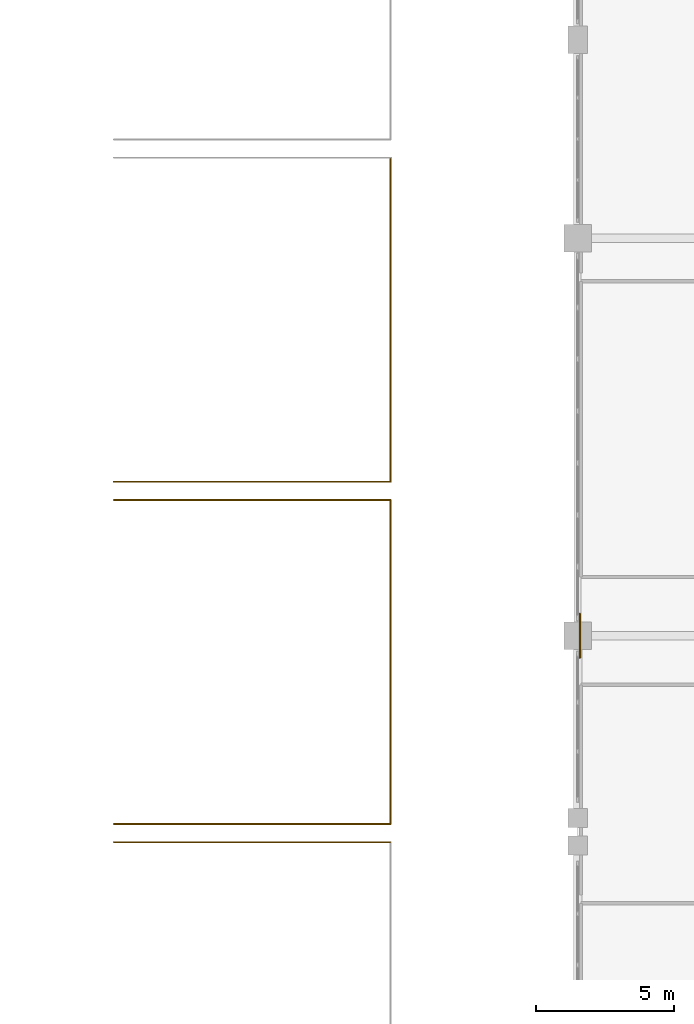
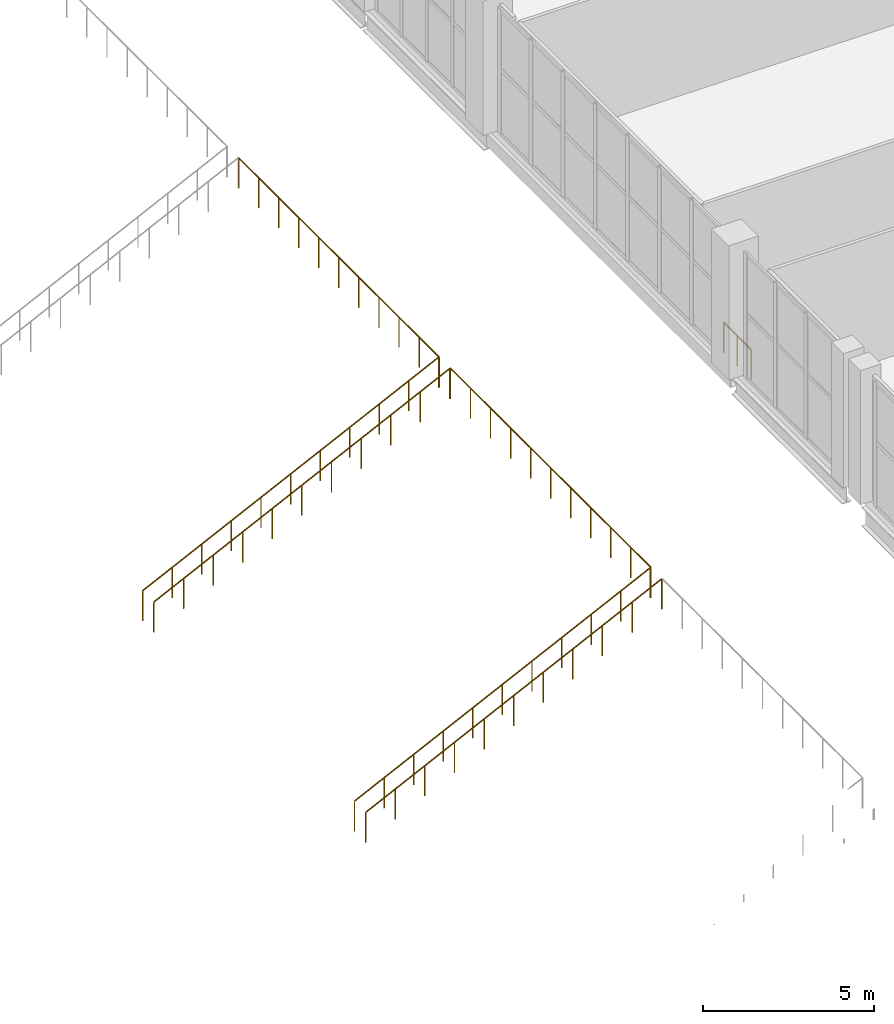
# One storey, part 98 of 104: 8 railings.
"""IFC4 building model written with IfcOpenShell, lengths in metres."""

from ifc_helpers import new_model, si_unit, direction, frame, origin, origin_2d, place, context, subcontext, project, spatial, circle, extrude, material, type_object, element, save


model = new_model("IFC4")

# Units and contexts
model_context = context("Model", 3, precision=1e-05, world=origin(), true_north=direction((0.0, 1.0)))
body_context = subcontext(model_context, "Body", "Model", "MODEL_VIEW")
ifc_project = project(units=[si_unit("LENGTHUNIT", "METRE"), si_unit("AREAUNIT", "SQUARE_METRE"), si_unit("VOLUMEUNIT", "CUBIC_METRE"), si_unit("PLANEANGLEUNIT", "RADIAN"), si_unit("MASSUNIT", "GRAM", prefix="KILO")], contexts=[model_context])

# Site, building, storey
site_placement = place(None, origin())
site = spatial("IfcSite", under=ifc_project, at=site_placement, CompositionType="ELEMENT")
building_placement = place(site_placement, origin())
building = spatial("IfcBuilding", under=site, at=building_placement, Name="Koshinbarg Plaza Stadium", CompositionType="ELEMENT")
storey_placement = place(building_placement, frame((0.0, 0.0, 19.800048828125)))
storey = spatial("IfcBuildingStorey", under=building, at=storey_placement, Name="L04", CompositionType="ELEMENT", Elevation=19.800048828125)

# Railings
ifc_material_1 = material(Name="Toughened laminated glass and stainless steel sightline balustrade", Category="steel")
railing_type_1 = type_object("IfcRailingType", Name="RL-BOWL-1100", PredefinedType="BALUSTRADE", material=ifc_material_1)
railing_1_placement = place(storey_placement, frame((189.47998046875, 82.300048828125, 0.0)))
element("IfcRailing", 1, at=railing_1_placement, inside=storey, type_object=railing_type_1, Name="L04 deck edge safety balustrade 0312", PredefinedType="BALUSTRADE", context=body_context, shape_type="SweptSolid", body=[
    extrude(circle(Radius=0.02392578125, at=origin_2d()), frame((0.0, 0.0, 1.076171875), z_axis=(0.0, 1.0, 0.0), x_axis=(-1.0, 0.0, 0.0)), (0.0, 0.0, 1.0), 0.800048828125),
    extrude(circle(Radius=0.02099609375, at=origin_2d()), origin(), (0.0, 0.0, 1.0), 1.052001953125),
    extrude(circle(Radius=0.02099609375, at=origin_2d()), frame((0.0, 0.800048828125, 0.0)), (0.0, 0.0, 1.0), 1.052001953125),
])
railing_2_placement = place(storey_placement, frame((189.47998046875, 83.10009765625, 0.0)))
element("IfcRailing", 2, at=railing_2_placement, inside=storey, type_object=railing_type_1, Name="L04 deck edge safety balustrade 0317", PredefinedType="BALUSTRADE", context=body_context, shape_type="SweptSolid", body=[
    extrude(circle(Radius=0.02392578125, at=origin_2d()), frame((0.0, 0.0, 1.076171875), z_axis=(0.0, 1.0, 0.0), x_axis=(-1.0, 0.0, 0.0)), (0.0, 0.0, 1.0), 0.796875),
    extrude(circle(Radius=0.02099609375, at=origin_2d()), origin(), (0.0, 0.0, 1.0), 1.052001953125),
    extrude(circle(Radius=0.02099609375, at=origin_2d()), frame((0.0, 0.796875, 0.0)), (0.0, 0.0, 1.0), 1.052001953125),
])
ifc_material_2 = material(Name="Galvanized painted steel guardrail", Category="steel")
railing_type_2 = type_object("IfcRailingType", Name="RL-GUARD-1100", PredefinedType="GUARDRAIL", material=ifc_material_2)
railing_3_placement = place(storey_placement, frame((172.60009765625, 75.6201171875, -6.580078125)))
element("IfcRailing", 3, at=railing_3_placement, inside=storey, type_object=railing_type_2, Name="UT-E04 stepped aisle guard R", PredefinedType="GUARDRAIL", context=body_context, shape_type="SweptSolid", body=[
    extrude(circle(Radius=0.02392578125, at=origin_2d()), frame((0.0, 0.0, 1.076171875), z_axis=(0.900110607261, 0.0, 0.435661445043), x_axis=(0.0, 1.0, 0.0)), (0.0, 0.0, 1.0), 11.10986328125),
    extrude(circle(Radius=0.02099609375, at=origin_2d()), origin(), (0.0, 0.0, 1.0), 1.052001953125),
    extrude(circle(Radius=0.02099609375, at=origin_2d()), frame((1.0, 0.0, 0.48388671875)), (0.0, 0.0, 1.0), 1.052001953125),
    extrude(circle(Radius=0.02099609375, at=origin_2d()), frame((2.0, 0.0, 0.968017578125)), (0.0, 0.0, 1.0), 1.052001953125),
    extrude(circle(Radius=0.02099609375, at=origin_2d()), frame((3.0, 0.0, 1.4521484375)), (0.0, 0.0, 1.0), 1.052001953125),
    extrude(circle(Radius=0.02099609375, at=origin_2d()), frame((4.0, 0.0, 1.93603515625)), (0.0, 0.0, 1.0), 1.052001953125),
    extrude(circle(Radius=0.02099609375, at=origin_2d()), frame((5.0, 0.0, 2.419921875)), (0.0, 0.0, 1.0), 1.052001953125),
    extrude(circle(Radius=0.02099609375, at=origin_2d()), frame((6.0, 0.0, 2.904052734375)), (0.0, 0.0, 1.0), 1.052001953125),
    extrude(circle(Radius=0.02099609375, at=origin_2d()), frame((7.0, 0.0, 3.38818359375)), (0.0, 0.0, 1.0), 1.052001953125),
    extrude(circle(Radius=0.02099609375, at=origin_2d()), frame((8.0, 0.0, 3.8720703125)), (0.0, 0.0, 1.0), 1.052001953125),
    extrude(circle(Radius=0.02099609375, at=origin_2d()), frame((9.0, 0.0, 4.35595703125)), (0.0, 0.0, 1.0), 1.052001953125),
    extrude(circle(Radius=0.02099609375, at=origin_2d()), frame((10.0, 0.0, 4.840087890625)), (0.0, 0.0, 1.0), 1.052001953125),
])
railing_4_placement = place(storey_placement, frame((182.6201171875, 76.280029296875, -1.739990234375)))
element("IfcRailing", 4, at=railing_4_placement, inside=storey, type_object=railing_type_2, Name="UT-E05 rear stand guard", PredefinedType="GUARDRAIL", context=body_context, shape_type="SweptSolid", body=[
    extrude(circle(Radius=0.02392578125, at=origin_2d()), frame((0.0, 0.0, 1.076171875), z_axis=(0.0, 1.0, 0.0), x_axis=(-1.0, 0.0, 0.0)), (0.0, 0.0, 1.0), 11.739990234375),
    extrude(circle(Radius=0.02099609375, at=origin_2d()), origin(), (0.0, 0.0, 1.0), 1.052001953125),
    extrude(circle(Radius=0.02099609375, at=origin_2d()), frame((0.0, 1.174072265625, 0.0)), (0.0, 0.0, 1.0), 1.052001953125),
    extrude(circle(Radius=0.02099609375, at=origin_2d()), frame((0.0, 2.347900390625, 0.0)), (0.0, 0.0, 1.0), 1.052001953125),
    extrude(circle(Radius=0.02099609375, at=origin_2d()), frame((0.0, 3.52197265625, 0.0)), (0.0, 0.0, 1.0), 1.052001953125),
    extrude(circle(Radius=0.02099609375, at=origin_2d()), frame((0.0, 4.696044921875, 0.0)), (0.0, 0.0, 1.0), 1.052001953125),
    extrude(circle(Radius=0.02099609375, at=origin_2d()), frame((0.0, 5.8701171875, 0.0)), (0.0, 0.0, 1.0), 1.052001953125),
    extrude(circle(Radius=0.02099609375, at=origin_2d()), frame((0.0, 7.0439453125, 0.0)), (0.0, 0.0, 1.0), 1.052001953125),
    extrude(circle(Radius=0.02099609375, at=origin_2d()), frame((0.0, 8.218017578125, 0.0)), (0.0, 0.0, 1.0), 1.052001953125),
    extrude(circle(Radius=0.02099609375, at=origin_2d()), frame((0.0, 9.39208984375, 0.0)), (0.0, 0.0, 1.0), 1.052001953125),
    extrude(circle(Radius=0.02099609375, at=origin_2d()), frame((0.0, 10.56591796875, 0.0)), (0.0, 0.0, 1.0), 1.052001953125),
    extrude(circle(Radius=0.02099609375, at=origin_2d()), frame((0.0, 11.739990234375, 0.0)), (0.0, 0.0, 1.0), 1.052001953125),
])
for number, where, name in (
    (5, (172.60009765625, 76.280029296875, -6.580078125), "UT-E05 stepped aisle guard L"),
    (6, (172.60009765625, 88.02001953125, -6.580078125), "UT-E05 stepped aisle guard R"),
):
    element("IfcRailing", number, at=place(storey_placement, frame(where)), inside=storey, type_object=railing_type_2, Name=name, PredefinedType="GUARDRAIL", context=body_context, shape_type="SweptSolid", body=[
        extrude(circle(Radius=0.02392578125, at=origin_2d()), frame((0.0, 0.0, 1.076171875), z_axis=(0.900110607261, 0.0, 0.435661445043), x_axis=(0.0, 1.0, 0.0)), (0.0, 0.0, 1.0), 11.10986328125),
        extrude(circle(Radius=0.02099609375, at=origin_2d()), origin(), (0.0, 0.0, 1.0), 1.052001953125),
        extrude(circle(Radius=0.02099609375, at=origin_2d()), frame((1.0, 0.0, 0.48388671875)), (0.0, 0.0, 1.0), 1.052001953125),
        extrude(circle(Radius=0.02099609375, at=origin_2d()), frame((2.0, 0.0, 0.968017578125)), (0.0, 0.0, 1.0), 1.052001953125),
        extrude(circle(Radius=0.02099609375, at=origin_2d()), frame((3.0, 0.0, 1.4521484375)), (0.0, 0.0, 1.0), 1.052001953125),
        extrude(circle(Radius=0.02099609375, at=origin_2d()), frame((4.0, 0.0, 1.93603515625)), (0.0, 0.0, 1.0), 1.052001953125),
        extrude(circle(Radius=0.02099609375, at=origin_2d()), frame((5.0, 0.0, 2.419921875)), (0.0, 0.0, 1.0), 1.052001953125),
        extrude(circle(Radius=0.02099609375, at=origin_2d()), frame((6.0, 0.0, 2.904052734375)), (0.0, 0.0, 1.0), 1.052001953125),
        extrude(circle(Radius=0.02099609375, at=origin_2d()), frame((7.0, 0.0, 3.38818359375)), (0.0, 0.0, 1.0), 1.052001953125),
        extrude(circle(Radius=0.02099609375, at=origin_2d()), frame((8.0, 0.0, 3.8720703125)), (0.0, 0.0, 1.0), 1.052001953125),
        extrude(circle(Radius=0.02099609375, at=origin_2d()), frame((9.0, 0.0, 4.35595703125)), (0.0, 0.0, 1.0), 1.052001953125),
        extrude(circle(Radius=0.02099609375, at=origin_2d()), frame((10.0, 0.0, 4.840087890625)), (0.0, 0.0, 1.0), 1.052001953125),
    ])
railing_5_placement = place(storey_placement, frame((182.6201171875, 88.679931640625, -1.739990234375)))
element("IfcRailing", 7, at=railing_5_placement, inside=storey, type_object=railing_type_2, Name="UT-E06 rear stand guard", PredefinedType="GUARDRAIL", context=body_context, shape_type="SweptSolid", body=[
    extrude(circle(Radius=0.02392578125, at=origin_2d()), frame((0.0, 0.0, 1.076171875), z_axis=(0.0, 1.0, 0.0), x_axis=(-1.0, 0.0, 0.0)), (0.0, 0.0, 1.0), 11.739990234375),
    extrude(circle(Radius=0.02099609375, at=origin_2d()), origin(), (0.0, 0.0, 1.0), 1.052001953125),
    extrude(circle(Radius=0.02099609375, at=origin_2d()), frame((0.0, 1.174072265625, 0.0)), (0.0, 0.0, 1.0), 1.052001953125),
    extrude(circle(Radius=0.02099609375, at=origin_2d()), frame((0.0, 2.347900390625, 0.0)), (0.0, 0.0, 1.0), 1.052001953125),
    extrude(circle(Radius=0.02099609375, at=origin_2d()), frame((0.0, 3.52197265625, 0.0)), (0.0, 0.0, 1.0), 1.052001953125),
    extrude(circle(Radius=0.02099609375, at=origin_2d()), frame((0.0, 4.696044921875, 0.0)), (0.0, 0.0, 1.0), 1.052001953125),
    extrude(circle(Radius=0.02099609375, at=origin_2d()), frame((0.0, 5.8701171875, 0.0)), (0.0, 0.0, 1.0), 1.052001953125),
    extrude(circle(Radius=0.02099609375, at=origin_2d()), frame((0.0, 7.0439453125, 0.0)), (0.0, 0.0, 1.0), 1.052001953125),
    extrude(circle(Radius=0.02099609375, at=origin_2d()), frame((0.0, 8.218017578125, 0.0)), (0.0, 0.0, 1.0), 1.052001953125),
    extrude(circle(Radius=0.02099609375, at=origin_2d()), frame((0.0, 9.39208984375, 0.0)), (0.0, 0.0, 1.0), 1.052001953125),
    extrude(circle(Radius=0.02099609375, at=origin_2d()), frame((0.0, 10.56591796875, 0.0)), (0.0, 0.0, 1.0), 1.052001953125),
    extrude(circle(Radius=0.02099609375, at=origin_2d()), frame((0.0, 11.739990234375, 0.0)), (0.0, 0.0, 1.0), 1.052001953125),
])
railing_6_placement = place(storey_placement, frame((172.60009765625, 88.679931640625, -6.580078125)))
element("IfcRailing", 8, at=railing_6_placement, inside=storey, type_object=railing_type_2, Name="UT-E06 stepped aisle guard L", PredefinedType="GUARDRAIL", context=body_context, shape_type="SweptSolid", body=[
    extrude(circle(Radius=0.02392578125, at=origin_2d()), frame((0.0, 0.0, 1.076171875), z_axis=(0.900110607261, 0.0, 0.435661445043), x_axis=(0.0, 1.0, 0.0)), (0.0, 0.0, 1.0), 11.10986328125),
    extrude(circle(Radius=0.02099609375, at=origin_2d()), origin(), (0.0, 0.0, 1.0), 1.052001953125),
    extrude(circle(Radius=0.02099609375, at=origin_2d()), frame((1.0, 0.0, 0.48388671875)), (0.0, 0.0, 1.0), 1.052001953125),
    extrude(circle(Radius=0.02099609375, at=origin_2d()), frame((2.0, 0.0, 0.968017578125)), (0.0, 0.0, 1.0), 1.052001953125),
    extrude(circle(Radius=0.02099609375, at=origin_2d()), frame((3.0, 0.0, 1.4521484375)), (0.0, 0.0, 1.0), 1.052001953125),
    extrude(circle(Radius=0.02099609375, at=origin_2d()), frame((4.0, 0.0, 1.93603515625)), (0.0, 0.0, 1.0), 1.052001953125),
    extrude(circle(Radius=0.02099609375, at=origin_2d()), frame((5.0, 0.0, 2.419921875)), (0.0, 0.0, 1.0), 1.052001953125),
    extrude(circle(Radius=0.02099609375, at=origin_2d()), frame((6.0, 0.0, 2.904052734375)), (0.0, 0.0, 1.0), 1.052001953125),
    extrude(circle(Radius=0.02099609375, at=origin_2d()), frame((7.0, 0.0, 3.38818359375)), (0.0, 0.0, 1.0), 1.052001953125),
    extrude(circle(Radius=0.02099609375, at=origin_2d()), frame((8.0, 0.0, 3.8720703125)), (0.0, 0.0, 1.0), 1.052001953125),
    extrude(circle(Radius=0.02099609375, at=origin_2d()), frame((9.0, 0.0, 4.35595703125)), (0.0, 0.0, 1.0), 1.052001953125),
    extrude(circle(Radius=0.02099609375, at=origin_2d()), frame((10.0, 0.0, 4.840087890625)), (0.0, 0.0, 1.0), 1.052001953125),
])

save(model, "model.ifc")
